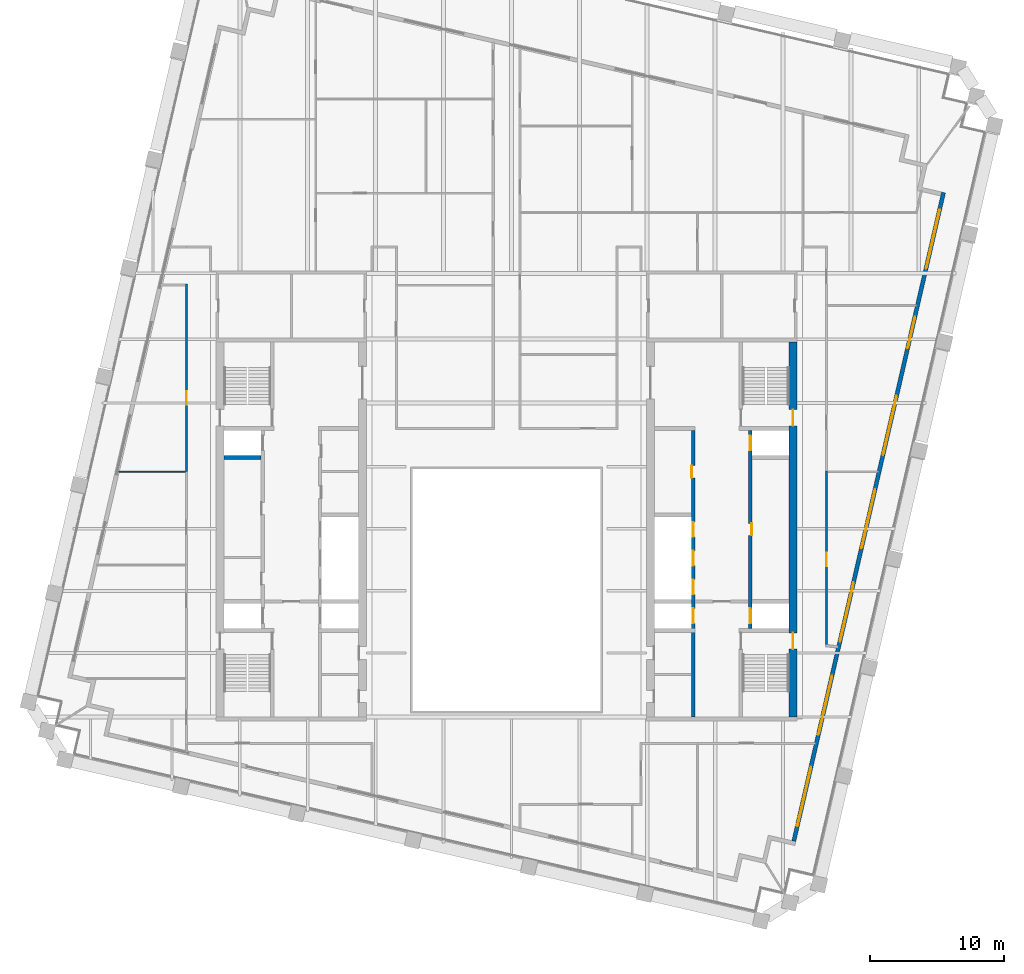
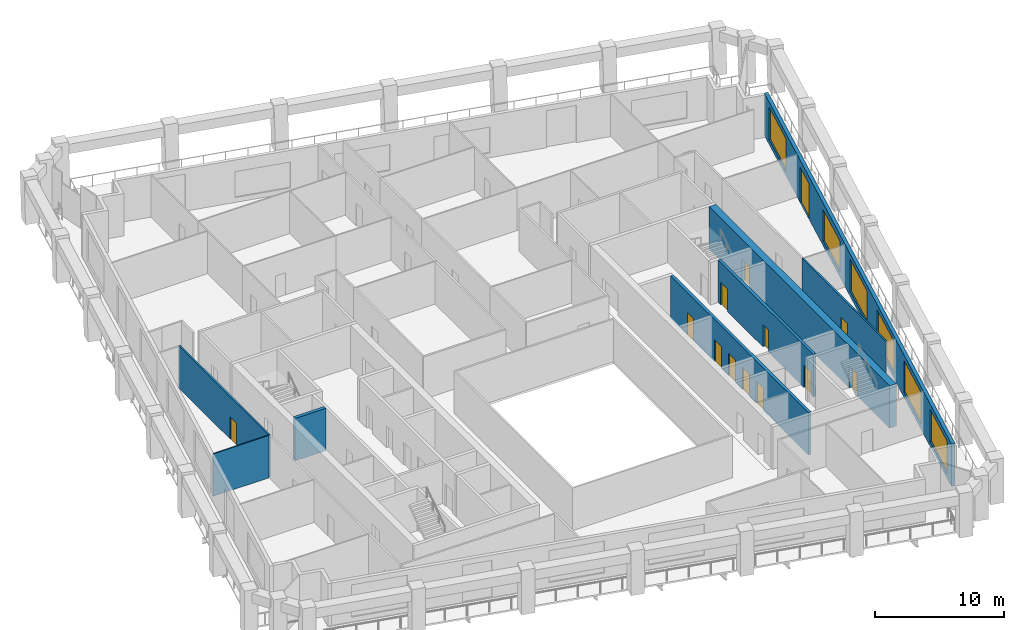
# One storey, part 6 of 10: 13 doors, 8 walls, 6 windows, 19 openings.
"""IFC4 building model written with IfcOpenShell, lengths in metres."""

from ifc_helpers import new_model, si_unit, direction, frame, frame_2d, origin, place, context, subcontext, project, spatial, rectangle, extrude, material, layer, layer_set, type_object, element, fill, save


model = new_model("IFC4")

# Units and contexts
model_context = context("Model", 3, precision=1e-05, world=origin(), true_north=direction((0.0, 1.0)))
body_context = subcontext(model_context, "Body", "Model", "MODEL_VIEW")
ifc_project = project(units=[si_unit("LENGTHUNIT", "METRE"), si_unit("AREAUNIT", "SQUARE_METRE"), si_unit("VOLUMEUNIT", "CUBIC_METRE"), si_unit("PLANEANGLEUNIT", "RADIAN"), si_unit("MASSUNIT", "GRAM", prefix="KILO")], contexts=[model_context])

# Site, building, storey
site_placement = place(None, origin())
site = spatial("IfcSite", under=ifc_project, at=site_placement, CompositionType="ELEMENT")
building_placement = place(site_placement, origin())
building = spatial("IfcBuilding", under=site, at=building_placement, Name="Ogive Exchange Tower", CompositionType="ELEMENT")
storey_placement = place(building_placement, frame((0.0, 0.0, 272.39990234375)))
storey = spatial("IfcBuildingStorey", under=building, at=storey_placement, Name="L59", CompositionType="ELEMENT", Elevation=272.39990234375)

# Wall, opening, door
ifc_material_1 = material(Name="Fire partition EI 60 150")
ifc_layer_1 = layer(ifc_material_1, 0.14990234375)
ifc_layer_set_1 = layer_set([ifc_layer_1], Name="Fire partition EI 60 150")
wall_type_1 = type_object("IfcWallType", Name="Fire partition EI 60 150", PredefinedType="PARTITIONING", material=ifc_layer_set_1)
wall_1_placement = place(storey_placement, frame((-23.800048828125, 15.7900390625, 0.0), z_axis=(0.0, 0.0, 1.0), x_axis=(0.0, 1.0, 0.0)))
wall_1 = element("IfcWall", 1, at=wall_1_placement, inside=storey, type_object=wall_type_1, Name="L59-PWL-008", PredefinedType="PARTITIONING", context=body_context, shape_type="SweptSolid", body=[
    extrude(rectangle(XDim=13.945068359375, YDim=0.14990234375, at=frame_2d((6.97265625, 0.0))), origin(), (0.0, 0.0, 1.0), 4.0),
])
opening_1_placement = place(wall_1_placement, frame((4.969970703125, 0.0, 0.0)))
opening_1 = element("IfcOpeningElement", 2, at=opening_1_placement, cuts=wall_1, Name="Opening L59-I22", PredefinedType="OPENING", context=body_context, shape_type="SweptSolid", body=[
    extrude(rectangle(XDim=1.0, YDim=2.10009765625, at=frame_2d((0.5, 1.050048828125))), frame((0.0, 0.0849609375, 0.0), z_axis=(0.0, -1.0, 0.0), x_axis=(1.0, 0.0, 0.0)), (0.0, 0.0, 1.0), 0.169921875),
])
ifc_material_2 = material(Name="Fire door FD 30S 1000 x 2100")
door_type_1 = type_object("IfcDoorType", Name="Fire door FD 30S 1000 x 2100", OperationType="NOTDEFINED", PredefinedType="DOOR", material=ifc_material_2)
door_1_placement = place(opening_1_placement, origin())
door_1 = element("IfcDoor", 3, at=door_1_placement, inside=storey, type_object=door_type_1, Name="L59-IDR-022", ObjectType="DT3", OperationType="SINGLE_SWING_LEFT", OverallHeight=2.10009765625, OverallWidth=1.0, PredefinedType="DOOR", context=body_context, shape_type="SweptSolid", body=[
    extrude(rectangle(XDim=1.0, YDim=2.10009765625, at=frame_2d((0.5, 1.050048828125))), frame((0.0, 0.02490234375, 0.0), z_axis=(0.0, -1.0, 0.0), x_axis=(1.0, 0.0, 0.0)), (0.0, 0.0, 1.0), 0.050048828125),
])
fill(opening_1, door_1)

wall_2_placement = place(storey_placement, frame((23.800048828125, 15.840087890625, 0.0), z_axis=(0.0, 0.0, 1.0), x_axis=(0.0, -1.0, 0.0)))
wall_2 = element("IfcWall", 4, at=wall_2_placement, inside=storey, type_object=wall_type_1, Name="L59-PWL-066", PredefinedType="PARTITIONING", context=body_context, shape_type="SweptSolid", body=[
    extrude(rectangle(XDim=12.905029296875, YDim=0.14990234375, at=frame_2d((6.45263671875, 0.0))), origin(), (0.0, 0.0, 1.0), 4.0),
])
opening_2_placement = place(wall_2_placement, frame((6.080078125, 0.0, 0.0)))
opening_2 = element("IfcOpeningElement", 5, at=opening_2_placement, cuts=wall_2, Name="Opening L59-I10", PredefinedType="OPENING", context=body_context, shape_type="SweptSolid", body=[
    extrude(rectangle(XDim=1.0, YDim=2.10009765625, at=frame_2d((0.5, 1.050048828125))), frame((0.0, 0.0849609375, 0.0), z_axis=(0.0, -1.0, 0.0), x_axis=(1.0, 0.0, 0.0)), (0.0, 0.0, 1.0), 0.169921875),
])
door_2_placement = place(opening_2_placement, origin())
door_2 = element("IfcDoor", 6, at=door_2_placement, inside=storey, type_object=door_type_1, Name="L59-IDR-010", ObjectType="DT3", OperationType="SINGLE_SWING_RIGHT", OverallHeight=2.10009765625, OverallWidth=1.0, PredefinedType="DOOR", context=body_context, shape_type="SweptSolid", body=[
    extrude(rectangle(XDim=1.0, YDim=2.10009765625, at=frame_2d((0.5, 1.050048828125))), frame((0.0, 0.02490234375, 0.0), z_axis=(0.0, -1.0, 0.0), x_axis=(1.0, 0.0, 0.0)), (0.0, 0.0, 1.0), 0.050048828125),
])
fill(opening_2, door_2)

# Wall, openings, door, windows
ifc_material_3 = material(Name="Precast concrete C40/50", Category="concrete")
ifc_layer_2 = layer(ifc_material_3, 0.300048828125)
ifc_layer_set_2 = layer_set([ifc_layer_2], Name="Limestone-faced wall 300")
wall_type_2 = type_object("IfcWallType", Name="Limestone-faced wall 300", PredefinedType="STANDARD", material=ifc_layer_set_2)
wall_3_placement = place(storey_placement, frame((21.35888671875, -11.67822265625, 0.0), z_axis=(0.0, 0.0, 1.0), x_axis=(0.224949198343, 0.974370493275, 0.0)))
wall_3 = element("IfcWall", 7, at=wall_3_placement, inside=storey, type_object=wall_type_2, Name="External wall E2", PredefinedType="STANDARD", context=body_context, shape_type="SweptSolid", body=[
    extrude(rectangle(XDim=49.5, YDim=0.300048828125, at=frame_2d((24.75, 0.0))), origin(), (0.0, 0.0, 1.0), 4.0),
])
opening_3_placement = place(wall_3_placement, frame((1.156982421875, 0.0, 0.449951171875)))
opening_3 = element("IfcOpeningElement", 8, at=opening_3_placement, cuts=wall_3, Name="Opening W1", PredefinedType="OPENING", context=body_context, shape_type="SweptSolid", body=[
    extrude(rectangle(XDim=4.5, YDim=3.050048828125, at=frame_2d((2.25, 1.52490234375))), frame((0.0, 0.159912109375, 0.0), z_axis=(0.0, -1.0, 0.0), x_axis=(1.0, 0.0, 0.0)), (0.0, 0.0, 1.0), 0.320068359375),
])
opening_4_placement = place(wall_3_placement, frame((8.121337890625, 0.0, 0.449951171875)))
opening_4 = element("IfcOpeningElement", 9, at=opening_4_placement, cuts=wall_3, Name="Opening W1", PredefinedType="OPENING", context=body_context, shape_type="SweptSolid", body=[
    extrude(rectangle(XDim=4.5, YDim=3.050048828125, at=frame_2d((2.25, 1.52490234375))), frame((0.0, 0.159912109375, 0.0), z_axis=(0.0, -1.0, 0.0), x_axis=(1.0, 0.0, 0.0)), (0.0, 0.0, 1.0), 0.320068359375),
])
opening_5_placement = place(wall_3_placement, frame((15.235595703125, 0.0, 0.449951171875)))
opening_5 = element("IfcOpeningElement", 10, at=opening_5_placement, cuts=wall_3, Name="Opening W1", PredefinedType="OPENING", context=body_context, shape_type="SweptSolid", body=[
    extrude(rectangle(XDim=4.5, YDim=3.050048828125, at=frame_2d((2.25, 1.52490234375))), frame((0.0, 0.159912109375, 0.0), z_axis=(0.0, -1.0, 0.0), x_axis=(1.0, 0.0, 0.0)), (0.0, 0.0, 1.0), 0.320068359375),
])
opening_6_placement = place(wall_3_placement, frame((22.35009765625, 0.0, 0.449951171875)))
opening_6 = element("IfcOpeningElement", 11, at=opening_6_placement, cuts=wall_3, Name="Opening W1", PredefinedType="OPENING", context=body_context, shape_type="SweptSolid", body=[
    extrude(rectangle(XDim=4.5, YDim=3.050048828125, at=frame_2d((2.25, 1.52490234375))), frame((0.0, 0.159912109375, 0.0), z_axis=(0.0, -1.0, 0.0), x_axis=(1.0, 0.0, 0.0)), (0.0, 0.0, 1.0), 0.320068359375),
])
opening_7_placement = place(wall_3_placement, frame((29.464111328125, 0.0, 0.449951171875)))
opening_7 = element("IfcOpeningElement", 12, at=opening_7_placement, cuts=wall_3, Name="Opening W1B", PredefinedType="OPENING", context=body_context, shape_type="SweptSolid", body=[
    extrude(rectangle(XDim=4.5, YDim=2.949951171875, at=frame_2d((2.25, 1.47509765625))), frame((0.0, 0.159912109375, 0.0), z_axis=(0.0, -1.0, 0.0), x_axis=(1.0, 0.0, 0.0)), (0.0, 0.0, 1.0), 0.320068359375),
])
opening_8_placement = place(wall_3_placement, frame((37.62841796875, 0.0, 0.0)))
opening_8 = element("IfcOpeningElement", 13, at=opening_8_placement, cuts=wall_3, Name="Opening D1C", PredefinedType="OPENING", context=body_context, shape_type="SweptSolid", body=[
    extrude(rectangle(XDim=2.39990234375, YDim=3.324951171875, at=frame_2d((1.199951171875, 1.66259765625))), frame((0.0, 0.159912109375, 0.0), z_axis=(0.0, -1.0, 0.0), x_axis=(1.0, 0.0, 0.0)), (0.0, 0.0, 1.0), 0.320068359375),
])
opening_9_placement = place(wall_3_placement, frame((43.69287109375, 0.0, 0.449951171875)))
opening_9 = element("IfcOpeningElement", 14, at=opening_9_placement, cuts=wall_3, Name="Opening W1", PredefinedType="OPENING", context=body_context, shape_type="SweptSolid", body=[
    extrude(rectangle(XDim=4.5, YDim=3.050048828125, at=frame_2d((2.25, 1.52490234375))), frame((0.0, 0.159912109375, 0.0), z_axis=(0.0, -1.0, 0.0), x_axis=(1.0, 0.0, 0.0)), (0.0, 0.0, 1.0), 0.320068359375),
])
ifc_material_4 = material(Name="Clear glass in bronze frame", Category="glass")
door_type_2 = type_object("IfcDoorType", Name="Sliding loggia door 2400 x 3325", OperationType="DOUBLE_DOOR_SLIDING", PredefinedType="DOOR", material=ifc_material_4)
door_3_placement = place(opening_8_placement, origin())
door_3 = element("IfcDoor", 15, at=door_3_placement, inside=storey, type_object=door_type_2, Name="Loggia door E05", OperationType="DOUBLE_DOOR_SLIDING", OverallHeight=3.324951171875, OverallWidth=2.39990234375, PredefinedType="DOOR", context=body_context, shape_type="SweptSolid", body=[
    extrude(rectangle(XDim=2.39990234375, YDim=3.324951171875, at=frame_2d((1.199951171875, 1.66259765625))), frame((0.0, 0.02490234375, 0.0), z_axis=(0.0, -1.0, 0.0), x_axis=(1.0, 0.0, 0.0)), (0.0, 0.0, 1.0), 0.050048828125),
])
fill(opening_8, door_3)
window_type_1 = type_object("IfcWindowType", Name="Twin lancet window 4500 x 2950", PartitioningType="DOUBLE_PANEL_VERTICAL", PredefinedType="WINDOW", material=ifc_material_4)
window_1_placement = place(opening_7_placement, origin())
window_1 = element("IfcWindow", 16, at=window_1_placement, inside=storey, type_object=window_type_1, Name="Window E04", OverallHeight=2.949951171875, OverallWidth=4.5, PartitioningType="DOUBLE_PANEL_VERTICAL", PredefinedType="WINDOW", context=body_context, shape_type="SweptSolid", body=[
    extrude(rectangle(XDim=4.5, YDim=2.949951171875, at=frame_2d((2.25, 1.47509765625))), frame((0.0, 0.030029296875, 0.0), z_axis=(0.0, -1.0, 0.0), x_axis=(1.0, 0.0, 0.0)), (0.0, 0.0, 1.0), 0.06005859375),
])
fill(opening_7, window_1)
window_type_2 = type_object("IfcWindowType", Name="Twin lancet window 4500 x 3050", PartitioningType="DOUBLE_PANEL_VERTICAL", PredefinedType="WINDOW", material=ifc_material_4)
window_2_placement = place(opening_3_placement, origin())
window_2 = element("IfcWindow", 17, at=window_2_placement, inside=storey, type_object=window_type_2, Name="Window E00", OverallHeight=3.050048828125, OverallWidth=4.5, PartitioningType="DOUBLE_PANEL_VERTICAL", PredefinedType="WINDOW", context=body_context, shape_type="SweptSolid", body=[
    extrude(rectangle(XDim=4.5, YDim=3.050048828125, at=frame_2d((2.25, 1.52490234375))), frame((0.0, 0.030029296875, 0.0), z_axis=(0.0, -1.0, 0.0), x_axis=(1.0, 0.0, 0.0)), (0.0, 0.0, 1.0), 0.06005859375),
])
fill(opening_3, window_2)
window_3_placement = place(opening_4_placement, origin())
window_3 = element("IfcWindow", 18, at=window_3_placement, inside=storey, type_object=window_type_2, Name="Window E01", OverallHeight=3.050048828125, OverallWidth=4.5, PartitioningType="DOUBLE_PANEL_VERTICAL", PredefinedType="WINDOW", context=body_context, shape_type="SweptSolid", body=[
    extrude(rectangle(XDim=4.5, YDim=3.050048828125, at=frame_2d((2.25, 1.52490234375))), frame((0.0, 0.030029296875, 0.0), z_axis=(0.0, -1.0, 0.0), x_axis=(1.0, 0.0, 0.0)), (0.0, 0.0, 1.0), 0.06005859375),
])
fill(opening_4, window_3)
window_4_placement = place(opening_5_placement, origin())
window_4 = element("IfcWindow", 19, at=window_4_placement, inside=storey, type_object=window_type_2, Name="Window E02", OverallHeight=3.050048828125, OverallWidth=4.5, PartitioningType="DOUBLE_PANEL_VERTICAL", PredefinedType="WINDOW", context=body_context, shape_type="SweptSolid", body=[
    extrude(rectangle(XDim=4.5, YDim=3.050048828125, at=frame_2d((2.25, 1.52490234375))), frame((0.0, 0.030029296875, 0.0), z_axis=(0.0, -1.0, 0.0), x_axis=(1.0, 0.0, 0.0)), (0.0, 0.0, 1.0), 0.06005859375),
])
fill(opening_5, window_4)
window_5_placement = place(opening_6_placement, origin())
window_5 = element("IfcWindow", 20, at=window_5_placement, inside=storey, type_object=window_type_2, Name="Window E03", OverallHeight=3.050048828125, OverallWidth=4.5, PartitioningType="DOUBLE_PANEL_VERTICAL", PredefinedType="WINDOW", context=body_context, shape_type="SweptSolid", body=[
    extrude(rectangle(XDim=4.5, YDim=3.050048828125, at=frame_2d((2.25, 1.52490234375))), frame((0.0, 0.030029296875, 0.0), z_axis=(0.0, -1.0, 0.0), x_axis=(1.0, 0.0, 0.0)), (0.0, 0.0, 1.0), 0.06005859375),
])
fill(opening_6, window_5)
window_6_placement = place(opening_9_placement, origin())
window_6 = element("IfcWindow", 21, at=window_6_placement, inside=storey, type_object=window_type_2, Name="Window E06", OverallHeight=3.050048828125, OverallWidth=4.5, PartitioningType="DOUBLE_PANEL_VERTICAL", PredefinedType="WINDOW", context=body_context, shape_type="SweptSolid", body=[
    extrude(rectangle(XDim=4.5, YDim=3.050048828125, at=frame_2d((2.25, 1.52490234375))), frame((0.0, 0.030029296875, 0.0), z_axis=(0.0, -1.0, 0.0), x_axis=(1.0, 0.0, 0.0)), (0.0, 0.0, 1.0), 0.06005859375),
])
fill(opening_9, window_6)

# Wall
ifc_material_5 = material(Name="Partition 100 gypsum")
ifc_layer_3 = layer(ifc_material_5, 0.10009765625)
ifc_layer_set_3 = layer_set([ifc_layer_3], Name="Partition 100 gypsum")
wall_type_3 = type_object("IfcWallType", Name="Partition 100 gypsum", PredefinedType="PARTITIONING", material=ifc_layer_set_3)
wall_4_placement = place(storey_placement, frame((-23.875, 15.7900390625, 0.0), z_axis=(0.0, 0.0, 1.0), x_axis=(-1.0, 0.0, 0.0)))
element("IfcWall", 22, at=wall_4_placement, inside=storey, type_object=wall_type_3, Name="L59-PWL-007", PredefinedType="PARTITIONING", context=body_context, shape_type="SweptSolid", body=[
    extrude(rectangle(XDim=5.0048828125, YDim=0.10009765625, at=frame_2d((2.50244140625, 0.0))), origin(), (0.0, 0.0, 1.0), 4.0),
])

# Wall, openings, doors
ifc_material_6 = material(Name="Concrete C70/85", Category="concrete")
ifc_layer_4 = layer(ifc_material_6, 0.25)
ifc_layer_set_4 = layer_set([ifc_layer_4], Name="RC core wall 250 C70/85")
wall_type_4 = type_object("IfcWallType", Name="RC core wall 250 C70/85", PredefinedType="SHEAR", material=ifc_layer_set_4)
wall_5_placement = place(storey_placement, frame((18.125, 4.14990234375, 0.0), z_axis=(0.0, 0.0, 1.0), x_axis=(0.0, 1.0, 0.0)))
wall_5 = element("IfcWall", 23, at=wall_5_placement, inside=storey, type_object=wall_type_4, Name="E row A front wall", PredefinedType="SHEAR", context=body_context, shape_type="SweptSolid", body=[
    extrude(rectangle(XDim=14.7001953125, YDim=0.25, at=frame_2d((7.35009765625, 0.0))), origin(), (0.0, 0.0, 1.0), 4.0),
])
opening_10_placement = place(wall_5_placement, frame((6.89990234375, 0.0, 0.0)))
opening_10 = element("IfcOpeningElement", 24, at=opening_10_placement, cuts=wall_5, Name="Opening L59-C21", PredefinedType="OPENING", context=body_context, shape_type="SweptSolid", body=[
    extrude(rectangle(XDim=0.89990234375, YDim=2.10009765625, at=frame_2d((0.449951171875, 1.050048828125))), frame((0.0, 0.135009765625, 0.0), z_axis=(0.0, -1.0, 0.0), x_axis=(1.0, 0.0, 0.0)), (0.0, 0.0, 1.0), 0.27001953125),
])
opening_11_placement = place(wall_5_placement, frame((0.371337890625, 0.0, 0.0)))
opening_11 = element("IfcOpeningElement", 25, at=opening_11_placement, cuts=wall_5, Name="Opening L59-C22", PredefinedType="OPENING", context=body_context, shape_type="SweptSolid", body=[
    extrude(rectangle(XDim=1.10009765625, YDim=2.10009765625, at=frame_2d((0.550048828125, 1.050048828125))), frame((0.0, 0.135009765625, 0.0), z_axis=(0.0, -1.0, 0.0), x_axis=(1.0, 0.0, 0.0)), (0.0, 0.0, 1.0), 0.27001953125),
])
opening_12_placement = place(wall_5_placement, frame((13.228515625, 0.0, 0.0)))
opening_12 = element("IfcOpeningElement", 26, at=opening_12_placement, cuts=wall_5, Name="Opening L59-C23", PredefinedType="OPENING", context=body_context, shape_type="SweptSolid", body=[
    extrude(rectangle(XDim=1.10009765625, YDim=2.10009765625, at=frame_2d((0.550048828125, 1.050048828125))), frame((0.0, 0.135009765625, 0.0), z_axis=(0.0, -1.0, 0.0), x_axis=(1.0, 0.0, 0.0)), (0.0, 0.0, 1.0), 0.27001953125),
])
ifc_material_7 = material(Name="Stainless steel", Category="steel")
door_type_3 = type_object("IfcDoorType", Name="Lift landing door FD90 1100 x 2100", OperationType="SLIDING_TO_LEFT", PredefinedType="DOOR", material=ifc_material_7)
door_4_placement = place(opening_11_placement, origin())
door_4 = element("IfcDoor", 27, at=door_4_placement, inside=storey, type_object=door_type_3, Name="Lift landing door FF2", ObjectType="LD", OperationType="SLIDING_TO_LEFT", OverallHeight=2.10009765625, OverallWidth=1.10009765625, PredefinedType="DOOR", context=body_context, shape_type="SweptSolid", body=[
    extrude(rectangle(XDim=1.10009765625, YDim=2.10009765625, at=frame_2d((0.550048828125, 1.050048828125))), frame((0.0, 0.02490234375, 0.0), z_axis=(0.0, -1.0, 0.0), x_axis=(1.0, 0.0, 0.0)), (0.0, 0.0, 1.0), 0.050048828125),
])
fill(opening_11, door_4)
door_5_placement = place(opening_12_placement, origin())
door_5 = element("IfcDoor", 28, at=door_5_placement, inside=storey, type_object=door_type_3, Name="Lift landing door E-SH2", ObjectType="LD", OperationType="SLIDING_TO_LEFT", OverallHeight=2.10009765625, OverallWidth=1.10009765625, PredefinedType="DOOR", context=body_context, shape_type="SweptSolid", body=[
    extrude(rectangle(XDim=1.10009765625, YDim=2.10009765625, at=frame_2d((0.550048828125, 1.050048828125))), frame((0.0, 0.02490234375, 0.0), z_axis=(0.0, -1.0, 0.0), x_axis=(1.0, 0.0, 0.0)), (0.0, 0.0, 1.0), 0.050048828125),
])
fill(opening_12, door_5)
ifc_material_8 = material(Name="Steel fire door", Category="steel")
door_type_4 = type_object("IfcDoorType", Name="Riser door FD60 900 x 2100", OperationType="NOTDEFINED", PredefinedType="DOOR", material=ifc_material_8)
door_6_placement = place(opening_10_placement, frame((0.89990234375, -0.2001953125, 0.0), z_axis=(0.0, 0.0, 1.0), x_axis=(-1.0, 0.0, 0.0)))
door_6 = element("IfcDoor", 29, at=door_6_placement, inside=storey, type_object=door_type_4, Name="Riser door", ObjectType="CD2", OperationType="SINGLE_SWING_RIGHT", OverallHeight=2.10009765625, OverallWidth=0.89990234375, PredefinedType="DOOR", context=body_context, shape_type="SweptSolid", body=[
    extrude(rectangle(XDim=0.89990234375, YDim=2.10009765625, at=frame_2d((0.449951171875, 1.050048828125))), frame((0.0, -0.0751953125, 0.0), z_axis=(0.0, -1.0, 0.0), x_axis=(1.0, 0.0, 0.0)), (0.0, 0.0, 1.0), 0.050048828125),
])
fill(opening_10, door_6)

wall_6_placement = place(storey_placement, frame((13.875, -2.449951171875, 0.0), z_axis=(0.0, 0.0, 1.0), x_axis=(0.0, 1.0, 0.0)))
wall_6 = element("IfcWall", 30, at=wall_6_placement, inside=storey, type_object=wall_type_4, Name="E row B front wall", PredefinedType="SHEAR", context=body_context, shape_type="SweptSolid", body=[
    extrude(rectangle(XDim=21.300048828125, YDim=0.25, at=frame_2d((10.64990234375, 0.0))), origin(), (0.0, 0.0, 1.0), 4.0),
])
opening_13_placement = place(wall_6_placement, frame((17.78564453125, 0.0, 0.0)))
opening_13 = element("IfcOpeningElement", 31, at=opening_13_placement, cuts=wall_6, Name="Opening L59-C24", PredefinedType="OPENING", context=body_context, shape_type="SweptSolid", body=[
    extrude(rectangle(XDim=0.89990234375, YDim=2.10009765625, at=frame_2d((0.449951171875, 1.050048828125))), frame((0.0, 0.135009765625, 0.0), z_axis=(0.0, -1.0, 0.0), x_axis=(1.0, 0.0, 0.0)), (0.0, 0.0, 1.0), 0.27001953125),
])
opening_14_placement = place(wall_6_placement, frame((6.971435546875, 0.0, 0.0)))
opening_14 = element("IfcOpeningElement", 32, at=opening_14_placement, cuts=wall_6, Name="Opening L59-C25", PredefinedType="OPENING", context=body_context, shape_type="SweptSolid", body=[
    extrude(rectangle(XDim=1.10009765625, YDim=2.10009765625, at=frame_2d((0.550048828125, 1.050048828125))), frame((0.0, 0.135009765625, 0.0), z_axis=(0.0, -1.0, 0.0), x_axis=(1.0, 0.0, 0.0)), (0.0, 0.0, 1.0), 0.27001953125),
])
opening_15_placement = place(wall_6_placement, frame((9.1142578125, 0.0, 0.0)))
opening_15 = element("IfcOpeningElement", 33, at=opening_15_placement, cuts=wall_6, Name="Opening L59-C26", PredefinedType="OPENING", context=body_context, shape_type="SweptSolid", body=[
    extrude(rectangle(XDim=1.10009765625, YDim=2.10009765625, at=frame_2d((0.550048828125, 1.050048828125))), frame((0.0, 0.135009765625, 0.0), z_axis=(0.0, -1.0, 0.0), x_axis=(1.0, 0.0, 0.0)), (0.0, 0.0, 1.0), 0.27001953125),
])
opening_16_placement = place(wall_6_placement, frame((11.257080078125, 0.0, 0.0)))
opening_16 = element("IfcOpeningElement", 34, at=opening_16_placement, cuts=wall_6, Name="Opening L59-C27", PredefinedType="OPENING", context=body_context, shape_type="SweptSolid", body=[
    extrude(rectangle(XDim=1.10009765625, YDim=2.10009765625, at=frame_2d((0.550048828125, 1.050048828125))), frame((0.0, 0.135009765625, 0.0), z_axis=(0.0, -1.0, 0.0), x_axis=(1.0, 0.0, 0.0)), (0.0, 0.0, 1.0), 0.27001953125),
])
opening_17_placement = place(wall_6_placement, frame((13.39990234375, 0.0, 0.0)))
opening_17 = element("IfcOpeningElement", 35, at=opening_17_placement, cuts=wall_6, Name="Opening L59-C28", PredefinedType="OPENING", context=body_context, shape_type="SweptSolid", body=[
    extrude(rectangle(XDim=1.10009765625, YDim=2.10009765625, at=frame_2d((0.550048828125, 1.050048828125))), frame((0.0, 0.135009765625, 0.0), z_axis=(0.0, -1.0, 0.0), x_axis=(1.0, 0.0, 0.0)), (0.0, 0.0, 1.0), 0.27001953125),
])
door_7_placement = place(opening_14_placement, origin())
door_7 = element("IfcDoor", 36, at=door_7_placement, inside=storey, type_object=door_type_3, Name="Lift landing door SV2", ObjectType="LD", OperationType="SLIDING_TO_LEFT", OverallHeight=2.10009765625, OverallWidth=1.10009765625, PredefinedType="DOOR", context=body_context, shape_type="SweptSolid", body=[
    extrude(rectangle(XDim=1.10009765625, YDim=2.10009765625, at=frame_2d((0.550048828125, 1.050048828125))), frame((0.0, 0.02490234375, 0.0), z_axis=(0.0, -1.0, 0.0), x_axis=(1.0, 0.0, 0.0)), (0.0, 0.0, 1.0), 0.050048828125),
])
fill(opening_14, door_7)
door_8_placement = place(opening_15_placement, origin())
door_8 = element("IfcDoor", 37, at=door_8_placement, inside=storey, type_object=door_type_3, Name="Lift landing door E-M1", ObjectType="LD", OperationType="SLIDING_TO_LEFT", OverallHeight=2.10009765625, OverallWidth=1.10009765625, PredefinedType="DOOR", context=body_context, shape_type="SweptSolid", body=[
    extrude(rectangle(XDim=1.10009765625, YDim=2.10009765625, at=frame_2d((0.550048828125, 1.050048828125))), frame((0.0, 0.02490234375, 0.0), z_axis=(0.0, -1.0, 0.0), x_axis=(1.0, 0.0, 0.0)), (0.0, 0.0, 1.0), 0.050048828125),
])
fill(opening_15, door_8)
door_9_placement = place(opening_16_placement, origin())
door_9 = element("IfcDoor", 38, at=door_9_placement, inside=storey, type_object=door_type_3, Name="Lift landing door E-M2", ObjectType="LD", OperationType="SLIDING_TO_LEFT", OverallHeight=2.10009765625, OverallWidth=1.10009765625, PredefinedType="DOOR", context=body_context, shape_type="SweptSolid", body=[
    extrude(rectangle(XDim=1.10009765625, YDim=2.10009765625, at=frame_2d((0.550048828125, 1.050048828125))), frame((0.0, 0.02490234375, 0.0), z_axis=(0.0, -1.0, 0.0), x_axis=(1.0, 0.0, 0.0)), (0.0, 0.0, 1.0), 0.050048828125),
])
fill(opening_16, door_9)
door_10_placement = place(opening_17_placement, origin())
door_10 = element("IfcDoor", 39, at=door_10_placement, inside=storey, type_object=door_type_3, Name="Lift landing door E-M3", ObjectType="LD", OperationType="SLIDING_TO_LEFT", OverallHeight=2.10009765625, OverallWidth=1.10009765625, PredefinedType="DOOR", context=body_context, shape_type="SweptSolid", body=[
    extrude(rectangle(XDim=1.10009765625, YDim=2.10009765625, at=frame_2d((0.550048828125, 1.050048828125))), frame((0.0, 0.02490234375, 0.0), z_axis=(0.0, -1.0, 0.0), x_axis=(1.0, 0.0, 0.0)), (0.0, 0.0, 1.0), 0.050048828125),
])
fill(opening_17, door_10)
door_11_placement = place(opening_13_placement, origin())
door_11 = element("IfcDoor", 40, at=door_11_placement, inside=storey, type_object=door_type_4, Name="Riser door", ObjectType="CD2", OperationType="SINGLE_SWING_RIGHT", OverallHeight=2.10009765625, OverallWidth=0.89990234375, PredefinedType="DOOR", context=body_context, shape_type="SweptSolid", body=[
    extrude(rectangle(XDim=0.89990234375, YDim=2.10009765625, at=frame_2d((0.449951171875, 1.050048828125))), frame((0.0, 0.125, 0.0), z_axis=(0.0, -1.0, 0.0), x_axis=(1.0, 0.0, 0.0)), (0.0, 0.0, 1.0), 0.050048828125),
])
fill(opening_13, door_11)

# Wall
ifc_layer_5 = layer(ifc_material_6, 0.300048828125)
ifc_layer_set_5 = layer_set([ifc_layer_5], Name="RC core wall 300 C70/85")
wall_type_5 = type_object("IfcWallType", Name="RC core wall 300 C70/85", PredefinedType="SHEAR", material=ifc_layer_set_5)
wall_7_placement = place(storey_placement, frame((-21.0, 16.857177734375, 0.0), z_axis=(0.0, 0.0, 1.0), x_axis=(1.0, 0.0, 0.0)))
element("IfcWall", 41, at=wall_7_placement, inside=storey, type_object=wall_type_5, Name="W row A divider 6", PredefinedType="SHEAR", context=body_context, shape_type="SweptSolid", body=[
    extrude(rectangle(XDim=2.75, YDim=0.300048828125, at=frame_2d((1.375, 0.0))), origin(), (0.0, 0.0, 1.0), 4.0),
])

# Wall, openings, doors
ifc_layer_6 = layer(ifc_material_6, 0.60009765625)
ifc_layer_set_6 = layer_set([ifc_layer_6], Name="RC core wall 600 C70/85")
wall_type_6 = type_object("IfcWallType", Name="RC core wall 600 C70/85", PredefinedType="SHEAR", material=ifc_layer_set_6)
wall_8_placement = place(storey_placement, frame((21.300048828125, -2.449951171875, 0.0), z_axis=(0.0, 0.0, 1.0), x_axis=(0.0, 1.0, 0.0)))
wall_8 = element("IfcWall", 42, at=wall_8_placement, inside=storey, type_object=wall_type_6, Name="E outer wall", PredefinedType="SHEAR", context=body_context, shape_type="SweptSolid", body=[
    extrude(rectangle(XDim=27.89990234375, YDim=0.60009765625, at=frame_2d((13.949951171875, 0.0))), origin(), (0.0, 0.0, 1.0), 4.0),
])
opening_18_placement = place(wall_8_placement, frame((5.050048828125, 0.0, 0.0)))
opening_18 = element("IfcOpeningElement", 43, at=opening_18_placement, cuts=wall_8, Name="Opening L59-C32", PredefinedType="OPENING", context=body_context, shape_type="SweptSolid", body=[
    extrude(rectangle(XDim=1.199951171875, YDim=2.10009765625, at=frame_2d((0.60009765625, 1.050048828125))), frame((0.0, 0.31005859375, 0.0), z_axis=(0.0, -1.0, 0.0), x_axis=(1.0, 0.0, 0.0)), (0.0, 0.0, 1.0), 0.6201171875),
])
opening_19_placement = place(wall_8_placement, frame((21.64990234375, 0.0, 0.0)))
opening_19 = element("IfcOpeningElement", 44, at=opening_19_placement, cuts=wall_8, Name="Opening L59-C34", PredefinedType="OPENING", context=body_context, shape_type="SweptSolid", body=[
    extrude(rectangle(XDim=1.199951171875, YDim=2.10009765625, at=frame_2d((0.60009765625, 1.050048828125))), frame((0.0, 0.31005859375, 0.0), z_axis=(0.0, -1.0, 0.0), x_axis=(1.0, 0.0, 0.0)), (0.0, 0.0, 1.0), 0.6201171875),
])
door_type_5 = type_object("IfcDoorType", Name="Stair door FD90 1200 x 2100", OperationType="NOTDEFINED", PredefinedType="DOOR", material=ifc_material_8)
door_12_placement = place(opening_18_placement, frame((1.199951171875, 0.0, 0.0), z_axis=(0.0, 0.0, 1.0), x_axis=(-1.0, 0.0, 0.0)))
door_12 = element("IfcDoor", 45, at=door_12_placement, inside=storey, type_object=door_type_5, Name="Stair door", ObjectType="CD5", OperationType="SINGLE_SWING_LEFT", OverallHeight=2.10009765625, OverallWidth=1.199951171875, PredefinedType="DOOR", context=body_context, shape_type="SweptSolid", body=[
    extrude(rectangle(XDim=1.199951171875, YDim=2.10009765625, at=frame_2d((0.60009765625, 1.050048828125))), frame((0.0, 0.02490234375, 0.0), z_axis=(0.0, -1.0, 0.0), x_axis=(1.0, 0.0, 0.0)), (0.0, 0.0, 1.0), 0.050048828125),
])
fill(opening_18, door_12)
door_13_placement = place(opening_19_placement, frame((1.199951171875, 0.0, 0.0), z_axis=(0.0, 0.0, 1.0), x_axis=(-1.0, 0.0, 0.0)))
door_13 = element("IfcDoor", 46, at=door_13_placement, inside=storey, type_object=door_type_5, Name="Stair door", ObjectType="CD5", OperationType="SINGLE_SWING_RIGHT", OverallHeight=2.10009765625, OverallWidth=1.199951171875, PredefinedType="DOOR", context=body_context, shape_type="SweptSolid", body=[
    extrude(rectangle(XDim=1.199951171875, YDim=2.10009765625, at=frame_2d((0.60009765625, 1.050048828125))), frame((0.0, 0.02490234375, 0.0), z_axis=(0.0, -1.0, 0.0), x_axis=(1.0, 0.0, 0.0)), (0.0, 0.0, 1.0), 0.050048828125),
])
fill(opening_19, door_13)

save(model, "model.ifc")
